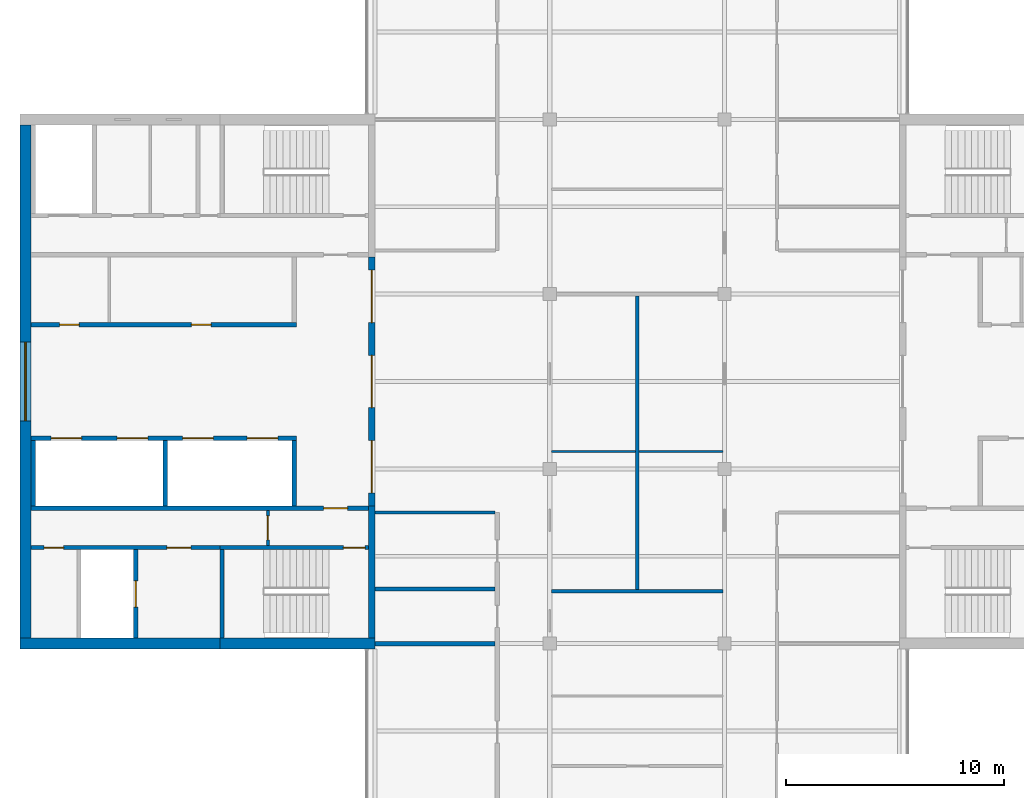
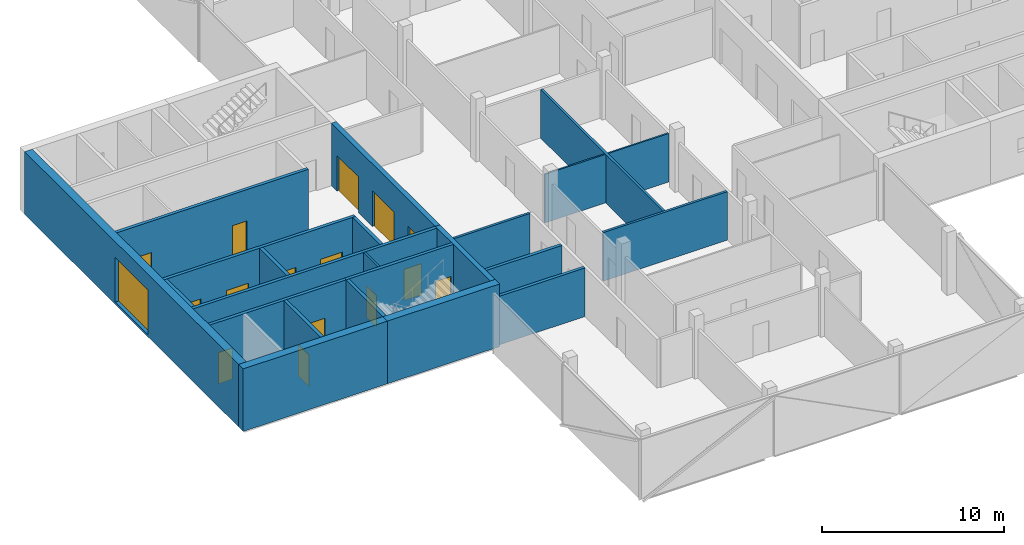
# One storey, part 9 of 16: 23 walls, 15 doors, 1 window, 16 openings.
"""IFC4 building model written with IfcOpenShell, lengths in metres."""

from ifc_helpers import new_model, si_unit, direction, frame, frame_2d, origin, place, context, subcontext, project, spatial, rectangle, extrude, material, layer, layer_set, constituent, constituent_set, type_object, element, fill, save


model = new_model("IFC4")

# Units and contexts
model_context = context("Model", 3, precision=1e-05, world=origin(), true_north=direction((0.0, 1.0)))
body_context = subcontext(model_context, "Body", "Model", "MODEL_VIEW")
ifc_project = project(units=[si_unit("LENGTHUNIT", "METRE"), si_unit("AREAUNIT", "SQUARE_METRE"), si_unit("VOLUMEUNIT", "CUBIC_METRE"), si_unit("PLANEANGLEUNIT", "RADIAN"), si_unit("MASSUNIT", "GRAM", prefix="KILO")], contexts=[model_context])

# Site, building, storey
site_placement = place(None, origin())
site = spatial("IfcSite", under=ifc_project, at=site_placement, CompositionType="ELEMENT")
building_placement = place(site_placement, origin())
building = spatial("IfcBuilding", under=site, at=building_placement, Name="Crosswind Convention Tower", CompositionType="ELEMENT")
storey_placement = place(building_placement, frame((0.0, 0.0, 299.699951171875)))
storey = spatial("IfcBuildingStorey", under=building, at=storey_placement, Name="L65", CompositionType="ELEMENT", Elevation=299.699951171875)

# Walls
ifc_material_1 = material(Name="Concrete blockwork", Category="masonry")
ifc_layer_1 = layer(ifc_material_1, 0.199951171875)
ifc_layer_set_1 = layer_set([ifc_layer_1], Name="COMPARTMENT WALL 200 BLOCKWORK")
wall_type_1 = type_object("IfcWallType", Name="COMPARTMENT WALL 200 BLOCKWORK", PredefinedType="SOLIDWALL", material=ifc_layer_set_1)
for number, where, z_axis, x_axis, name in (
    (1, (113.0, 88.0, 0.0), (0.0, 0.0, 1.0), (1.0, 0.0, 0.0), "Compartment wall WT42"),
    (2, (113.0, 90.5, 0.0), (0.0, 0.0, 1.0), (1.0, 0.0, 0.0), "Compartment wall WT42"),
):
    element("IfcWall", number, at=place(storey_placement, frame(where, z_axis=z_axis, x_axis=x_axis)), inside=storey, type_object=wall_type_1, Name=name, PredefinedType="SOLIDWALL", context=body_context, shape_type="SweptSolid", body=[
        extrude(rectangle(XDim=5.5, YDim=0.199951171875, at=frame_2d((2.75, 0.0))), origin(), (0.0, 0.0, 1.0), 3.25537109375),
    ])

# Wall, openings, doors
ifc_material_2 = material(Name="Concrete C50/60", Category="concrete")
ifc_layer_2 = layer(ifc_material_2, 0.300048828125)
ifc_layer_set_2 = layer_set([ifc_layer_2], Name="Concrete C50/60")
wall_type_2 = type_object("IfcWallType", Name="Concrete inner core wall 300", PredefinedType="SHEAR", material=ifc_layer_set_2)
wall_1_placement = place(storey_placement, frame((112.85009765625, 105.699951171875, 0.0), z_axis=(0.0, 0.0, 1.0), x_axis=(0.0, -1.0, 0.0)))
wall_1 = element("IfcWall", 3, at=wall_1_placement, inside=storey, type_object=wall_type_2, Name="Wall SCR W L65", PredefinedType="SHEAR", context=body_context, shape_type="SweptSolid", body=[
    extrude(rectangle(XDim=11.39990234375, YDim=0.300048828125, at=frame_2d((5.699951171875, 0.0))), origin(), (0.0, 0.0, 1.0), 4.199951171875),
])
opening_1_placement = place(wall_1_placement, frame((0.60009765625, 0.0, 0.0)))
opening_1 = element("IfcOpeningElement", 4, at=opening_1_placement, cuts=wall_1, Name="Opening D100", PredefinedType="OPENING", context=body_context, shape_type="SweptSolid", body=[
    extrude(rectangle(XDim=2.39990234375, YDim=2.39990234375, at=frame_2d((1.199951171875, 1.199951171875))), frame((0.0, 0.159912109375, 0.0), z_axis=(0.0, -1.0, 0.0), x_axis=(1.0, 0.0, 0.0)), (0.0, 0.0, 1.0), 0.320068359375),
])
opening_2_placement = place(wall_1_placement, frame((4.5, 0.0, 0.0)))
opening_2 = element("IfcOpeningElement", 5, at=opening_2_placement, cuts=wall_1, Name="Opening D100", PredefinedType="OPENING", context=body_context, shape_type="SweptSolid", body=[
    extrude(rectangle(XDim=2.39990234375, YDim=2.39990234375, at=frame_2d((1.199951171875, 1.199951171875))), frame((0.0, 0.159912109375, 0.0), z_axis=(0.0, -1.0, 0.0), x_axis=(1.0, 0.0, 0.0)), (0.0, 0.0, 1.0), 0.320068359375),
])
opening_3_placement = place(wall_1_placement, frame((8.39990234375, 0.0, 0.0)))
opening_3 = element("IfcOpeningElement", 6, at=opening_3_placement, cuts=wall_1, Name="Opening D100", PredefinedType="OPENING", context=body_context, shape_type="SweptSolid", body=[
    extrude(rectangle(XDim=2.39990234375, YDim=2.39990234375, at=frame_2d((1.199951171875, 1.199951171875))), frame((0.0, 0.159912109375, 0.0), z_axis=(0.0, -1.0, 0.0), x_axis=(1.0, 0.0, 0.0)), (0.0, 0.0, 1.0), 0.320068359375),
])
ifc_material_3 = material(Name="Steel fire door with glazed vision panels", Category="steel")
door_type_1 = type_object("IfcDoorType", Name="Fire-rated double door 2400x2400", OperationType="DOUBLE_DOOR_SINGLE_SWING", PredefinedType="DOOR", material=ifc_material_3)
door_1_placement = place(opening_1_placement, origin())
door_1 = element("IfcDoor", 7, at=door_1_placement, inside=storey, type_object=door_type_1, Name="Lobby door 1 L65", ObjectType="D100", OperationType="DOUBLE_DOOR_SINGLE_SWING", OverallHeight=2.39990234375, OverallWidth=2.39990234375, PredefinedType="DOOR", context=body_context, shape_type="SweptSolid", body=[
    extrude(rectangle(XDim=2.39990234375, YDim=2.39990234375, at=frame_2d((1.199951171875, 1.199951171875))), frame((0.0, 0.02490234375, 0.0), z_axis=(0.0, -1.0, 0.0), x_axis=(1.0, 0.0, 0.0)), (0.0, 0.0, 1.0), 0.050048828125),
])
fill(opening_1, door_1)
door_2_placement = place(opening_2_placement, origin())
door_2 = element("IfcDoor", 8, at=door_2_placement, inside=storey, type_object=door_type_1, Name="Lobby door 2 L65", ObjectType="D100", OperationType="DOUBLE_DOOR_SINGLE_SWING", OverallHeight=2.39990234375, OverallWidth=2.39990234375, PredefinedType="DOOR", context=body_context, shape_type="SweptSolid", body=[
    extrude(rectangle(XDim=2.39990234375, YDim=2.39990234375, at=frame_2d((1.199951171875, 1.199951171875))), frame((0.0, 0.02490234375, 0.0), z_axis=(0.0, -1.0, 0.0), x_axis=(1.0, 0.0, 0.0)), (0.0, 0.0, 1.0), 0.050048828125),
])
fill(opening_2, door_2)
door_3_placement = place(opening_3_placement, origin())
door_3 = element("IfcDoor", 9, at=door_3_placement, inside=storey, type_object=door_type_1, Name="Lobby door 3 L65", ObjectType="D100", OperationType="DOUBLE_DOOR_SINGLE_SWING", OverallHeight=2.39990234375, OverallWidth=2.39990234375, PredefinedType="DOOR", context=body_context, shape_type="SweptSolid", body=[
    extrude(rectangle(XDim=2.39990234375, YDim=2.39990234375, at=frame_2d((1.199951171875, 1.199951171875))), frame((0.0, 0.02490234375, 0.0), z_axis=(0.0, -1.0, 0.0), x_axis=(1.0, 0.0, 0.0)), (0.0, 0.0, 1.0), 0.050048828125),
])
fill(opening_3, door_3)

# Walls
wall_2_placement = place(storey_placement, frame((112.85009765625, 94.300048828125, 0.0), z_axis=(0.0, 0.0, 1.0), x_axis=(0.0, -1.0, 0.0)))
element("IfcWall", 10, at=wall_2_placement, inside=storey, type_object=wall_type_2, Name="Wall EP W L65", PredefinedType="SHEAR", context=body_context, shape_type="SweptSolid", body=[
    extrude(rectangle(XDim=6.050048828125, YDim=0.300048828125, at=frame_2d((3.02490234375, 0.0))), origin(), (0.0, 0.0, 1.0), 4.199951171875),
])
ifc_layer_3 = layer(ifc_material_2, 0.199951171875)
ifc_layer_set_3 = layer_set([ifc_layer_3], Name="Concrete C50/60")
wall_type_3 = type_object("IfcWallType", Name="Concrete shaft and stair wall 200", PredefinedType="SHEAR", material=ifc_layer_set_3)
for number, where, z_axis, x_axis, name in (
    (11, (109.300048828125, 97.300048828125, 0.0), (0.0, 0.0, 1.0), (0.0, -1.0, 0.0), "Wall RPEND W L65"),
    (12, (103.39990234375, 97.300048828125, 0.0), (0.0, 0.0, 1.0), (0.0, -1.0, 0.0), "Wall RPSEP W L65"),
    (13, (97.35009765625, 97.300048828125, 0.0), (0.0, 0.0, 1.0), (0.0, -1.0, 0.0), "Wall RPEAST W L65"),
):
    element("IfcWall", number, at=place(storey_placement, frame(where, z_axis=z_axis, x_axis=x_axis)), inside=storey, type_object=wall_type_3, Name=name, PredefinedType="SHEAR", context=body_context, shape_type="SweptSolid", body=[
        extrude(rectangle(XDim=3.0, YDim=0.199951171875, at=frame_2d((1.5, 0.0))), origin(), (0.0, 0.0, 1.0), 4.199951171875),
    ])

# Wall, openings, doors
wall_3_placement = place(storey_placement, frame((109.39990234375, 97.39990234375, 0.0), z_axis=(0.0, 0.0, 1.0), x_axis=(-1.0, 0.0, 0.0)))
wall_3 = element("IfcWall", 14, at=wall_3_placement, inside=storey, type_object=wall_type_3, Name="Wall RPFRONT W L65", PredefinedType="SHEAR", context=body_context, shape_type="SweptSolid", body=[
    extrude(rectangle(XDim=12.14990234375, YDim=0.199951171875, at=frame_2d((6.074951171875, 0.0))), origin(), (0.0, 0.0, 1.0), 4.199951171875),
])
opening_4_placement = place(wall_3_placement, frame((0.85009765625, 0.0, 0.0)))
opening_4 = element("IfcOpeningElement", 15, at=opening_4_placement, cuts=wall_3, Name="Opening LD2", PredefinedType="OPENING", context=body_context, shape_type="SweptSolid", body=[
    extrude(rectangle(XDim=1.39990234375, YDim=2.10009765625, at=frame_2d((0.699951171875, 1.050048828125))), frame((0.0, 0.10986328125, 0.0), z_axis=(0.0, -1.0, 0.0), x_axis=(1.0, 0.0, 0.0)), (0.0, 0.0, 1.0), 0.219970703125),
])
opening_5_placement = place(wall_3_placement, frame((3.800048828125, 0.0, 0.0)))
opening_5 = element("IfcOpeningElement", 16, at=opening_5_placement, cuts=wall_3, Name="Opening LD2", PredefinedType="OPENING", context=body_context, shape_type="SweptSolid", body=[
    extrude(rectangle(XDim=1.39990234375, YDim=2.10009765625, at=frame_2d((0.699951171875, 1.050048828125))), frame((0.0, 0.10986328125, 0.0), z_axis=(0.0, -1.0, 0.0), x_axis=(1.0, 0.0, 0.0)), (0.0, 0.0, 1.0), 0.219970703125),
])
opening_6_placement = place(wall_3_placement, frame((6.800048828125, 0.0, 0.0)))
opening_6 = element("IfcOpeningElement", 17, at=opening_6_placement, cuts=wall_3, Name="Opening LD2", PredefinedType="OPENING", context=body_context, shape_type="SweptSolid", body=[
    extrude(rectangle(XDim=1.39990234375, YDim=2.10009765625, at=frame_2d((0.699951171875, 1.050048828125))), frame((0.0, 0.10986328125, 0.0), z_axis=(0.0, -1.0, 0.0), x_axis=(1.0, 0.0, 0.0)), (0.0, 0.0, 1.0), 0.219970703125),
])
opening_7_placement = place(wall_3_placement, frame((9.824951171875, 0.0, 0.0)))
opening_7 = element("IfcOpeningElement", 18, at=opening_7_placement, cuts=wall_3, Name="Opening LD2", PredefinedType="OPENING", context=body_context, shape_type="SweptSolid", body=[
    extrude(rectangle(XDim=1.39990234375, YDim=2.10009765625, at=frame_2d((0.699951171875, 1.050048828125))), frame((0.0, 0.10986328125, 0.0), z_axis=(0.0, -1.0, 0.0), x_axis=(1.0, 0.0, 0.0)), (0.0, 0.0, 1.0), 0.219970703125),
])
ifc_material_4 = material(Name="Stainless steel", Category="steel")
door_type_2 = type_object("IfcDoorType", Name="Lift landing door 1400x2100", OperationType="DOUBLE_DOOR_SLIDING", PredefinedType="DOOR", material=ifc_material_4)
door_4_placement = place(opening_4_placement, origin())
door_4 = element("IfcDoor", 19, at=door_4_placement, inside=storey, type_object=door_type_2, Name="Landing door HR1 L65", ObjectType="LD2", OperationType="DOUBLE_DOOR_SLIDING", OverallHeight=2.10009765625, OverallWidth=1.39990234375, PredefinedType="DOOR", context=body_context, shape_type="SweptSolid", body=[
    extrude(rectangle(XDim=1.39990234375, YDim=2.10009765625, at=frame_2d((0.699951171875, 1.050048828125))), frame((0.0, 0.02490234375, 0.0), z_axis=(0.0, -1.0, 0.0), x_axis=(1.0, 0.0, 0.0)), (0.0, 0.0, 1.0), 0.050048828125),
])
fill(opening_4, door_4)
door_5_placement = place(opening_5_placement, origin())
door_5 = element("IfcDoor", 20, at=door_5_placement, inside=storey, type_object=door_type_2, Name="Landing door HR2 L65", ObjectType="LD2", OperationType="DOUBLE_DOOR_SLIDING", OverallHeight=2.10009765625, OverallWidth=1.39990234375, PredefinedType="DOOR", context=body_context, shape_type="SweptSolid", body=[
    extrude(rectangle(XDim=1.39990234375, YDim=2.10009765625, at=frame_2d((0.699951171875, 1.050048828125))), frame((0.0, 0.02490234375, 0.0), z_axis=(0.0, -1.0, 0.0), x_axis=(1.0, 0.0, 0.0)), (0.0, 0.0, 1.0), 0.050048828125),
])
fill(opening_5, door_5)
door_6_placement = place(opening_6_placement, origin())
door_6 = element("IfcDoor", 21, at=door_6_placement, inside=storey, type_object=door_type_2, Name="Landing door HR3 L65", ObjectType="LD2", OperationType="DOUBLE_DOOR_SLIDING", OverallHeight=2.10009765625, OverallWidth=1.39990234375, PredefinedType="DOOR", context=body_context, shape_type="SweptSolid", body=[
    extrude(rectangle(XDim=1.39990234375, YDim=2.10009765625, at=frame_2d((0.699951171875, 1.050048828125))), frame((0.0, 0.02490234375, 0.0), z_axis=(0.0, -1.0, 0.0), x_axis=(1.0, 0.0, 0.0)), (0.0, 0.0, 1.0), 0.050048828125),
])
fill(opening_6, door_6)
door_7_placement = place(opening_7_placement, origin())
door_7 = element("IfcDoor", 22, at=door_7_placement, inside=storey, type_object=door_type_2, Name="Landing door HR4 L65", ObjectType="LD2", OperationType="DOUBLE_DOOR_SLIDING", OverallHeight=2.10009765625, OverallWidth=1.39990234375, PredefinedType="DOOR", context=body_context, shape_type="SweptSolid", body=[
    extrude(rectangle(XDim=1.39990234375, YDim=2.10009765625, at=frame_2d((0.699951171875, 1.050048828125))), frame((0.0, 0.02490234375, 0.0), z_axis=(0.0, -1.0, 0.0), x_axis=(1.0, 0.0, 0.0)), (0.0, 0.0, 1.0), 0.050048828125),
])
fill(opening_7, door_7)

wall_4_placement = place(storey_placement, frame((109.39990234375, 102.60009765625, 0.0), z_axis=(0.0, 0.0, 1.0), x_axis=(-1.0, 0.0, 0.0)))
wall_4 = element("IfcWall", 23, at=wall_4_placement, inside=storey, type_object=wall_type_3, Name="Wall RMFRONT W L65", PredefinedType="SHEAR", context=body_context, shape_type="SweptSolid", body=[
    extrude(rectangle(XDim=12.14990234375, YDim=0.199951171875, at=frame_2d((6.074951171875, 0.0))), origin(), (0.0, 0.0, 1.0), 4.199951171875),
])
opening_8_placement = place(wall_4_placement, frame((3.9013671875, 0.0, 0.0)))
opening_8 = element("IfcOpeningElement", 24, at=opening_8_placement, cuts=wall_4, Name="Opening D106", PredefinedType="OPENING", context=body_context, shape_type="SweptSolid", body=[
    extrude(rectangle(XDim=0.89990234375, YDim=2.10009765625, at=frame_2d((0.449951171875, 1.050048828125))), frame((0.0, 0.10986328125, 0.0), z_axis=(0.0, -1.0, 0.0), x_axis=(1.0, 0.0, 0.0)), (0.0, 0.0, 1.0), 0.219970703125),
])
opening_9_placement = place(wall_4_placement, frame((9.938720703125, 0.0, 0.0)))
opening_9 = element("IfcOpeningElement", 25, at=opening_9_placement, cuts=wall_4, Name="Opening D106", PredefinedType="OPENING", context=body_context, shape_type="SweptSolid", body=[
    extrude(rectangle(XDim=0.89990234375, YDim=2.10009765625, at=frame_2d((0.449951171875, 1.050048828125))), frame((0.0, 0.10986328125, 0.0), z_axis=(0.0, -1.0, 0.0), x_axis=(1.0, 0.0, 0.0)), (0.0, 0.0, 1.0), 0.219970703125),
])
ifc_material_5 = material(Name="Timber door", Category="wood")
door_type_3 = type_object("IfcDoorType", Name="Single leaf door 900x2100", OperationType="NOTDEFINED", PredefinedType="DOOR", material=ifc_material_5)
door_8_placement = place(opening_8_placement, frame((0.89990234375, 0.0, 0.0), z_axis=(0.0, 0.0, 1.0), x_axis=(-1.0, 0.0, 0.0)))
door_8 = element("IfcDoor", 26, at=door_8_placement, inside=storey, type_object=door_type_3, Name="Door to pantry L65", ObjectType="D106", OperationType="SINGLE_SWING_LEFT", OverallHeight=2.10009765625, OverallWidth=0.89990234375, PredefinedType="DOOR", context=body_context, shape_type="SweptSolid", body=[
    extrude(rectangle(XDim=0.89990234375, YDim=2.10009765625, at=frame_2d((0.449951171875, 1.050048828125))), frame((0.0, 0.02490234375, 0.0), z_axis=(0.0, -1.0, 0.0), x_axis=(1.0, 0.0, 0.0)), (0.0, 0.0, 1.0), 0.050048828125),
])
fill(opening_8, door_8)
door_9_placement = place(opening_9_placement, frame((0.89990234375, 0.0, 0.0), z_axis=(0.0, 0.0, 1.0), x_axis=(-1.0, 0.0, 0.0)))
door_9 = element("IfcDoor", 27, at=door_9_placement, inside=storey, type_object=door_type_3, Name="Door to telecoms room L65", ObjectType="D106", OperationType="SINGLE_SWING_LEFT", OverallHeight=2.10009765625, OverallWidth=0.89990234375, PredefinedType="DOOR", context=body_context, shape_type="SweptSolid", body=[
    extrude(rectangle(XDim=0.89990234375, YDim=2.10009765625, at=frame_2d((0.449951171875, 1.050048828125))), frame((0.0, 0.02490234375, 0.0), z_axis=(0.0, -1.0, 0.0), x_axis=(1.0, 0.0, 0.0)), (0.0, 0.0, 1.0), 0.050048828125),
])
fill(opening_9, door_9)

# Wall, opening, door
wall_5_placement = place(storey_placement, frame((112.699951171875, 94.199951171875, 0.0), z_axis=(0.0, 0.0, 1.0), x_axis=(-1.0, 0.0, 0.0)))
wall_5 = element("IfcWall", 28, at=wall_5_placement, inside=storey, type_object=wall_type_3, Name="Wall HP W L65", PredefinedType="SHEAR", context=body_context, shape_type="SweptSolid", body=[
    extrude(rectangle(XDim=15.449951171875, YDim=0.199951171875, at=frame_2d((7.72509765625, 0.0))), origin(), (0.0, 0.0, 1.0), 4.199951171875),
])
opening_10_placement = place(wall_5_placement, frame((0.949951171875, 0.0, 0.0)))
opening_10 = element("IfcOpeningElement", 29, at=opening_10_placement, cuts=wall_5, Name="Opening D104", PredefinedType="OPENING", context=body_context, shape_type="SweptSolid", body=[
    extrude(rectangle(XDim=1.10009765625, YDim=2.10009765625, at=frame_2d((0.550048828125, 1.050048828125))), frame((0.0, 0.10986328125, 0.0), z_axis=(0.0, -1.0, 0.0), x_axis=(1.0, 0.0, 0.0)), (0.0, 0.0, 1.0), 0.219970703125),
])
ifc_material_6 = material(Name="Steel fire door", Category="steel")
door_type_4 = type_object("IfcDoorType", Name="Fire-rated single door 1100x2100", OperationType="NOTDEFINED", PredefinedType="DOOR", material=ifc_material_6)
door_10_placement = place(opening_10_placement, origin())
door_10 = element("IfcDoor", 30, at=door_10_placement, inside=storey, type_object=door_type_4, Name="Corridor door L65", ObjectType="D104", OperationType="SINGLE_SWING_LEFT", OverallHeight=2.10009765625, OverallWidth=1.10009765625, PredefinedType="DOOR", context=body_context, shape_type="SweptSolid", body=[
    extrude(rectangle(XDim=1.10009765625, YDim=2.10009765625, at=frame_2d((0.550048828125, 1.050048828125))), frame((0.0, 0.02490234375, 0.0), z_axis=(0.0, -1.0, 0.0), x_axis=(1.0, 0.0, 0.0)), (0.0, 0.0, 1.0), 0.050048828125),
])
fill(opening_10, door_10)

# Wall
wall_6_placement = place(storey_placement, frame((106.0, 92.300048828125, 0.0), z_axis=(0.0, 0.0, 1.0), x_axis=(0.0, -1.0, 0.0)))
element("IfcWall", 31, at=wall_6_placement, inside=storey, type_object=wall_type_3, Name="Wall PSE W L65", PredefinedType="SHEAR", context=body_context, shape_type="SweptSolid", body=[
    extrude(rectangle(XDim=4.050048828125, YDim=0.199951171875, at=frame_2d((2.02490234375, 0.0))), origin(), (0.0, 0.0, 1.0), 4.199951171875),
])

# Wall, opening, door
wall_7_placement = place(storey_placement, frame((102.050048828125, 92.300048828125, 0.0), z_axis=(0.0, 0.0, 1.0), x_axis=(0.0, -1.0, 0.0)))
wall_7 = element("IfcWall", 32, at=wall_7_placement, inside=storey, type_object=wall_type_3, Name="Wall PFLW W L65", PredefinedType="SHEAR", context=body_context, shape_type="SweptSolid", body=[
    extrude(rectangle(XDim=4.050048828125, YDim=0.199951171875, at=frame_2d((2.02490234375, 0.0))), origin(), (0.0, 0.0, 1.0), 4.199951171875),
])
opening_11_placement = place(wall_7_placement, frame((1.425048828125, 0.0, 0.0)))
opening_11 = element("IfcOpeningElement", 33, at=opening_11_placement, cuts=wall_7, Name="Opening LD1", PredefinedType="OPENING", context=body_context, shape_type="SweptSolid", body=[
    extrude(rectangle(XDim=1.199951171875, YDim=2.10009765625, at=frame_2d((0.60009765625, 1.050048828125))), frame((0.0, 0.10986328125, 0.0), z_axis=(0.0, -1.0, 0.0), x_axis=(1.0, 0.0, 0.0)), (0.0, 0.0, 1.0), 0.219970703125),
])
door_type_5 = type_object("IfcDoorType", Name="Lift landing door 1200x2100", OperationType="DOUBLE_DOOR_SLIDING", PredefinedType="DOOR", material=ifc_material_4)
door_11_placement = place(opening_11_placement, origin())
door_11 = element("IfcDoor", 34, at=door_11_placement, inside=storey, type_object=door_type_5, Name="Landing door FF2 L65", ObjectType="LD1", OperationType="DOUBLE_DOOR_SLIDING", OverallHeight=2.10009765625, OverallWidth=1.199951171875, PredefinedType="DOOR", context=body_context, shape_type="SweptSolid", body=[
    extrude(rectangle(XDim=1.199951171875, YDim=2.10009765625, at=frame_2d((0.60009765625, 1.050048828125))), frame((0.0, 0.02490234375, 0.0), z_axis=(0.0, -1.0, 0.0), x_axis=(1.0, 0.0, 0.0)), (0.0, 0.0, 1.0), 0.050048828125),
])
fill(opening_11, door_11)

wall_8_placement = place(storey_placement, frame((112.699951171875, 92.39990234375, 0.0), z_axis=(0.0, 0.0, 1.0), x_axis=(-1.0, 0.0, 0.0)))
wall_8 = element("IfcWall", 35, at=wall_8_placement, inside=storey, type_object=wall_type_3, Name="Wall PCW W L65", PredefinedType="SHEAR", context=body_context, shape_type="SweptSolid", body=[
    extrude(rectangle(XDim=6.800048828125, YDim=0.199951171875, at=frame_2d((3.39990234375, 0.0))), origin(), (0.0, 0.0, 1.0), 4.199951171875),
])
opening_12_placement = place(wall_8_placement, frame((0.14990234375, 0.0, 0.0)))
opening_12 = element("IfcOpeningElement", 36, at=opening_12_placement, cuts=wall_8, Name="Opening D103", PredefinedType="OPENING", context=body_context, shape_type="SweptSolid", body=[
    extrude(rectangle(XDim=1.0, YDim=2.10009765625, at=frame_2d((0.5, 1.050048828125))), frame((0.0, 0.10986328125, 0.0), z_axis=(0.0, -1.0, 0.0), x_axis=(1.0, 0.0, 0.0)), (0.0, 0.0, 1.0), 0.219970703125),
])
door_type_6 = type_object("IfcDoorType", Name="Fire-rated single door 1000x2100", OperationType="NOTDEFINED", PredefinedType="DOOR", material=ifc_material_6)
door_12_placement = place(opening_12_placement, origin())
door_12 = element("IfcDoor", 37, at=door_12_placement, inside=storey, type_object=door_type_6, Name="Stair ST3 door L65", ObjectType="D103", OperationType="SINGLE_SWING_LEFT", OverallHeight=2.10009765625, OverallWidth=1.0, PredefinedType="DOOR", context=body_context, shape_type="SweptSolid", body=[
    extrude(rectangle(XDim=1.0, YDim=2.10009765625, at=frame_2d((0.5, 1.050048828125))), frame((0.0, 0.02490234375, 0.0), z_axis=(0.0, -1.0, 0.0), x_axis=(1.0, 0.0, 0.0)), (0.0, 0.0, 1.0), 0.050048828125),
])
fill(opening_12, door_12)

# Wall, openings, doors
wall_9_placement = place(storey_placement, frame((105.89990234375, 92.39990234375, 0.0), z_axis=(0.0, 0.0, 1.0), x_axis=(-1.0, 0.0, 0.0)))
wall_9 = element("IfcWall", 38, at=wall_9_placement, inside=storey, type_object=wall_type_3, Name="Wall PCX W L65", PredefinedType="SHEAR", context=body_context, shape_type="SweptSolid", body=[
    extrude(rectangle(XDim=8.64990234375, YDim=0.199951171875, at=frame_2d((4.324951171875, 0.0))), origin(), (0.0, 0.0, 1.0), 4.199951171875),
])
opening_13_placement = place(wall_9_placement, frame((1.324951171875, 0.0, 0.0)))
opening_13 = element("IfcOpeningElement", 39, at=opening_13_placement, cuts=wall_9, Name="Opening D104", PredefinedType="OPENING", context=body_context, shape_type="SweptSolid", body=[
    extrude(rectangle(XDim=1.10009765625, YDim=2.10009765625, at=frame_2d((0.550048828125, 1.050048828125))), frame((0.0, 0.10986328125, 0.0), z_axis=(0.0, -1.0, 0.0), x_axis=(1.0, 0.0, 0.0)), (0.0, 0.0, 1.0), 0.219970703125),
])
opening_14_placement = place(wall_9_placement, frame((7.14990234375, 0.0, 0.0)))
opening_14 = element("IfcOpeningElement", 40, at=opening_14_placement, cuts=wall_9, Name="Opening D106", PredefinedType="OPENING", context=body_context, shape_type="SweptSolid", body=[
    extrude(rectangle(XDim=0.89990234375, YDim=2.10009765625, at=frame_2d((0.449951171875, 1.050048828125))), frame((0.0, 0.10986328125, 0.0), z_axis=(0.0, -1.0, 0.0), x_axis=(1.0, 0.0, 0.0)), (0.0, 0.0, 1.0), 0.219970703125),
])
door_13_placement = place(opening_13_placement, origin())
door_13 = element("IfcDoor", 41, at=door_13_placement, inside=storey, type_object=door_type_4, Name="Fire-fighting lobby FF2 door L65", ObjectType="D104", OperationType="SINGLE_SWING_RIGHT", OverallHeight=2.10009765625, OverallWidth=1.10009765625, PredefinedType="DOOR", context=body_context, shape_type="SweptSolid", body=[
    extrude(rectangle(XDim=1.10009765625, YDim=2.10009765625, at=frame_2d((0.550048828125, 1.050048828125))), frame((0.0, 0.02490234375, 0.0), z_axis=(0.0, -1.0, 0.0), x_axis=(1.0, 0.0, 0.0)), (0.0, 0.0, 1.0), 0.050048828125),
])
fill(opening_13, door_13)
door_14_placement = place(opening_14_placement, origin())
door_14 = element("IfcDoor", 42, at=door_14_placement, inside=storey, type_object=door_type_3, Name="Door to cleaners' store L65", ObjectType="D106", OperationType="SINGLE_SWING_RIGHT", OverallHeight=2.10009765625, OverallWidth=0.89990234375, PredefinedType="DOOR", context=body_context, shape_type="SweptSolid", body=[
    extrude(rectangle(XDim=0.89990234375, YDim=2.10009765625, at=frame_2d((0.449951171875, 1.050048828125))), frame((0.0, 0.02490234375, 0.0), z_axis=(0.0, -1.0, 0.0), x_axis=(1.0, 0.0, 0.0)), (0.0, 0.0, 1.0), 0.050048828125),
])
fill(opening_14, door_14)

# Wall, opening, door
ifc_material_7 = material(Name="Gypsum plasterboard partition", Category="gypsum")
ifc_layer_4 = layer(ifc_material_7, 0.125)
ifc_layer_set_4 = layer_set([ifc_layer_4], Name="Drywall partition wall 125")
wall_type_4 = type_object("IfcWallType", Name="Drywall partition wall 125", PredefinedType="PARTITIONING", material=ifc_layer_set_4)
wall_10_placement = place(storey_placement, frame((108.10009765625, 94.10009765625, 0.0), z_axis=(0.0, 0.0, 1.0), x_axis=(0.0, -1.0, 0.0)))
wall_10 = element("IfcWall", 43, at=wall_10_placement, inside=storey, type_object=wall_type_4, Name="Wall PXC1 W L65", PredefinedType="PARTITIONING", context=body_context, shape_type="SweptSolid", body=[
    extrude(rectangle(XDim=1.60009765625, YDim=0.125, at=frame_2d((0.800048828125, 0.0))), origin(), (0.0, 0.0, 1.0), 4.199951171875),
])
opening_15_placement = place(wall_10_placement, frame((0.25, 0.0, 0.0)))
opening_15 = element("IfcOpeningElement", 44, at=opening_15_placement, cuts=wall_10, Name="Opening D104", PredefinedType="OPENING", context=body_context, shape_type="SweptSolid", body=[
    extrude(rectangle(XDim=1.10009765625, YDim=2.10009765625, at=frame_2d((0.550048828125, 1.050048828125))), frame((0.0, 0.072509765625, 0.0), z_axis=(0.0, -1.0, 0.0), x_axis=(1.0, 0.0, 0.0)), (0.0, 0.0, 1.0), 0.14501953125),
])
door_15_placement = place(opening_15_placement, origin())
door_15 = element("IfcDoor", 45, at=door_15_placement, inside=storey, type_object=door_type_4, Name="Corridor smoke door L65", ObjectType="D104", OperationType="SINGLE_SWING_RIGHT", OverallHeight=2.10009765625, OverallWidth=1.10009765625, PredefinedType="DOOR", context=body_context, shape_type="SweptSolid", body=[
    extrude(rectangle(XDim=1.10009765625, YDim=2.10009765625, at=frame_2d((0.550048828125, 1.050048828125))), frame((0.0, 0.02490234375, 0.0), z_axis=(0.0, -1.0, 0.0), x_axis=(1.0, 0.0, 0.0)), (0.0, 0.0, 1.0), 0.050048828125),
])
fill(opening_15, door_15)

# Walls
ifc_material_8 = material(Name="Plasterboard partition", Category="gypsum")
ifc_layer_5 = layer(ifc_material_8, 0.10009765625)
ifc_layer_set_5 = layer_set([ifc_layer_5], Name="PARTITION 100 METAL STUD")
wall_type_5 = type_object("IfcWallType", Name="PARTITION 100 METAL STUD", PredefinedType="PARTITIONING", material=ifc_layer_set_5)
for number, where, z_axis, x_axis, name in (
    (46, (121.074951171875, 96.800048828125, 0.0), (0.0, 0.0, 1.0), (1.0, 0.0, 0.0), "Partition wall WT40"),
    (47, (125.074951171875, 96.800048828125, 0.0), (0.0, 0.0, 1.0), (1.0, 0.0, 0.0), "Partition wall WT40"),
):
    element("IfcWall", number, at=place(storey_placement, frame(where, z_axis=z_axis, x_axis=x_axis)), inside=storey, type_object=wall_type_5, Name=name, PredefinedType="PARTITIONING", context=body_context, shape_type="SweptSolid", body=[
        extrude(rectangle(XDim=3.85009765625, YDim=0.10009765625, at=frame_2d((1.925048828125, 0.0))), origin(), (0.0, 0.0, 1.0), 3.25537109375),
    ])
ifc_material_9 = material(Name="Fire-board partition with mineral wool", Category="gypsum")
ifc_layer_6 = layer(ifc_material_9, 0.14990234375)
ifc_layer_set_6 = layer_set([ifc_layer_6], Name="TENANCY WALL 150 TWO-HOUR BOARD")
wall_type_6 = type_object("IfcWallType", Name="TENANCY WALL 150 TWO-HOUR BOARD", PredefinedType="PARTITIONING", material=ifc_layer_set_6)
wall_11_placement = place(storey_placement, frame((125.0, 90.47509765625, 0.0), z_axis=(0.0, 0.0, 1.0), x_axis=(0.0, 1.0, 0.0)))
element("IfcWall", 48, at=wall_11_placement, inside=storey, type_object=wall_type_6, Name="Tenancy wall WT41", PredefinedType="PARTITIONING", context=body_context, shape_type="SweptSolid", body=[
    extrude(rectangle(XDim=13.449951171875, YDim=0.14990234375, at=frame_2d((6.72509765625, 0.0))), origin(), (0.0, 0.0, 1.0), 3.25537109375),
])
wall_12_placement = place(storey_placement, frame((121.074951171875, 90.39990234375, 0.0), z_axis=(0.0, 0.0, 1.0), x_axis=(1.0, 0.0, 0.0)))
element("IfcWall", 49, at=wall_12_placement, inside=storey, type_object=wall_type_6, Name="Tenancy wall WT41", PredefinedType="PARTITIONING", context=body_context, shape_type="SweptSolid", body=[
    extrude(rectangle(XDim=7.85009765625, YDim=0.14990234375, at=frame_2d((3.925048828125, 0.0))), origin(), (0.0, 0.0, 1.0), 3.25537109375),
])
wall_13_placement = place(storey_placement, frame((113.0, 94.0, 0.0), z_axis=(0.0, 0.0, 1.0), x_axis=(1.0, 0.0, 0.0)))
element("IfcWall", 50, at=wall_13_placement, inside=storey, type_object=wall_type_6, Name="Tenancy wall WT41", PredefinedType="PARTITIONING", context=body_context, shape_type="SweptSolid", body=[
    extrude(rectangle(XDim=5.5, YDim=0.14990234375, at=frame_2d((2.75, 0.0))), origin(), (0.0, 0.0, 1.0), 3.25537109375),
])
ifc_material_10 = material(Name="Concrete C60/75", Category="concrete")
ifc_constituent_1 = constituent(ifc_material_10, Name="Structure")
ifc_material_11 = material(Name="Terracotta rainscreen", Category="ceramic")
ifc_constituent_2 = constituent(ifc_material_11, Name="Facing")
ifc_constituent_set = constituent_set(constituents=[ifc_constituent_1, ifc_constituent_2], Name="Concrete C60/75, Terracotta rainscreen")
wall_type_7 = type_object("IfcWallType", Name="Terracotta rainscreen on concrete core wall 500", PredefinedType="SHEAR", material=ifc_constituent_set)
wall_14_placement = place(storey_placement, frame((113.0, 88.0, 0.0), z_axis=(0.0, 0.0, 1.0), x_axis=(-1.0, 0.0, 0.0)))
element("IfcWall", 51, at=wall_14_placement, inside=storey, type_object=wall_type_7, Name="Wall N1 W L65", PredefinedType="SHEAR", context=body_context, shape_type="SweptSolid", body=[
    extrude(rectangle(XDim=7.10009765625, YDim=0.5, at=frame_2d((3.550048828125, 0.0))), origin(), (0.0, 0.0, 1.0), 4.199951171875),
])
wall_15_placement = place(storey_placement, frame((105.89990234375, 88.0, 0.0), z_axis=(0.0, 0.0, 1.0), x_axis=(-1.0, 0.0, 0.0)))
element("IfcWall", 52, at=wall_15_placement, inside=storey, type_object=wall_type_7, Name="Wall N2 W L65", PredefinedType="SHEAR", context=body_context, shape_type="SweptSolid", body=[
    extrude(rectangle(XDim=9.14990234375, YDim=0.5, at=frame_2d((4.574951171875, 0.0))), origin(), (0.0, 0.0, 1.0), 4.199951171875),
])

# Wall, opening, window
wall_16_placement = place(storey_placement, frame((97.0, 111.75, 0.0), z_axis=(0.0, 0.0, 1.0), x_axis=(0.0, -1.0, 0.0)))
wall_16 = element("IfcWall", 53, at=wall_16_placement, inside=storey, type_object=wall_type_7, Name="Wall O W L65", PredefinedType="SHEAR", context=body_context, shape_type="SweptSolid", body=[
    extrude(rectangle(XDim=23.5, YDim=0.5, at=frame_2d((11.75, 0.0))), origin(), (0.0, 0.0, 1.0), 4.199951171875),
])
opening_16_placement = place(wall_16_placement, frame((9.949951171875, 0.0, 0.14990234375)))
opening_16 = element("IfcOpeningElement", 54, at=opening_16_placement, cuts=wall_16, Name="Opening W1", PredefinedType="OPENING", context=body_context, shape_type="SweptSolid", body=[
    extrude(rectangle(XDim=3.60009765625, YDim=3.0, at=frame_2d((1.800048828125, 1.5))), frame((0.0, 0.260009765625, 0.0), z_axis=(0.0, -1.0, 0.0), x_axis=(1.0, 0.0, 0.0)), (0.0, 0.0, 1.0), 0.52001953125),
])
ifc_material_12 = material(Name="Clear laminated glass in aluminium frame", Category="aluminium")
window_type = type_object("IfcWindowType", Name="Lobby end window 3600x3000", PartitioningType="SINGLE_PANEL", PredefinedType="WINDOW", material=ifc_material_12)
window_placement = place(opening_16_placement, origin())
window = element("IfcWindow", 55, at=window_placement, inside=storey, type_object=window_type, Name="Lobby end window L65", ObjectType="W1", OverallHeight=3.0, OverallWidth=3.60009765625, PartitioningType="SINGLE_PANEL", PredefinedType="WINDOW", context=body_context, shape_type="SweptSolid", body=[
    extrude(rectangle(XDim=3.60009765625, YDim=3.0, at=frame_2d((1.800048828125, 1.5))), frame((0.0, 0.030029296875, 0.0), z_axis=(0.0, -1.0, 0.0), x_axis=(1.0, 0.0, 0.0)), (0.0, 0.0, 1.0), 0.06005859375),
])
fill(opening_16, window)

save(model, "model.ifc")
